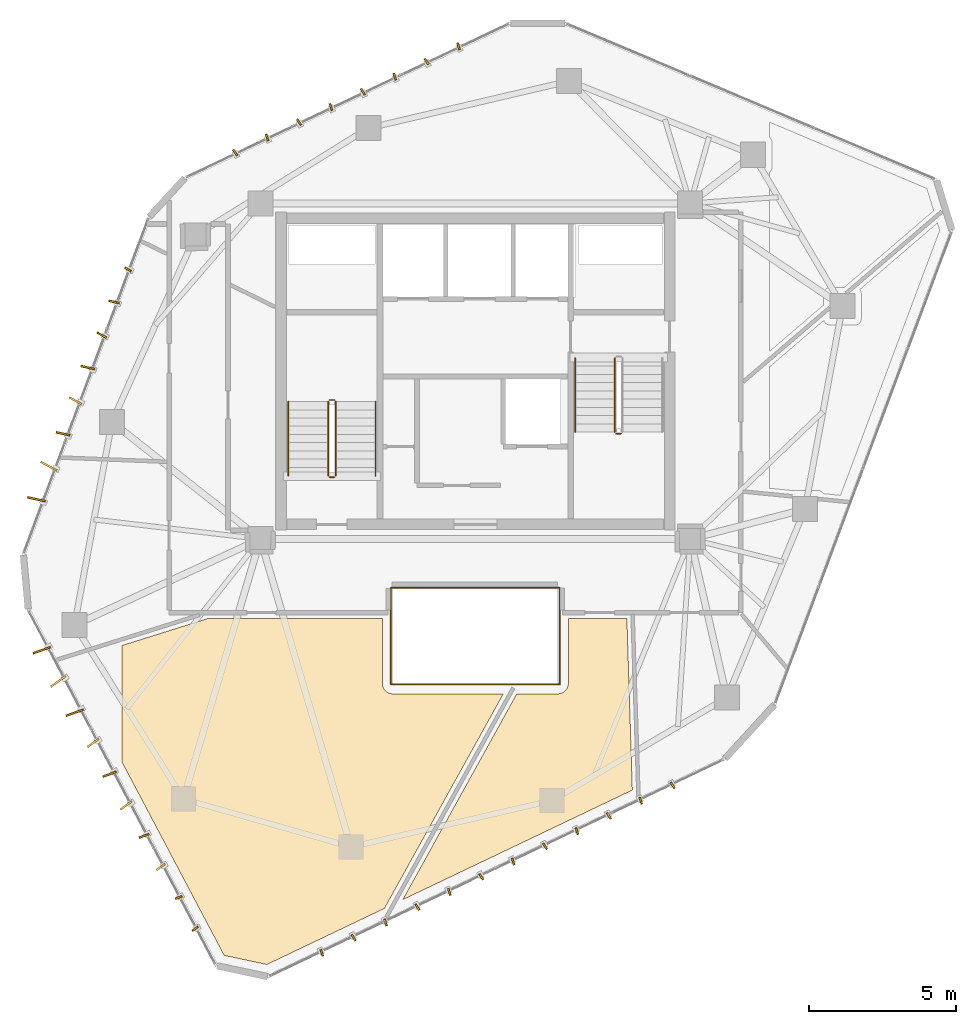
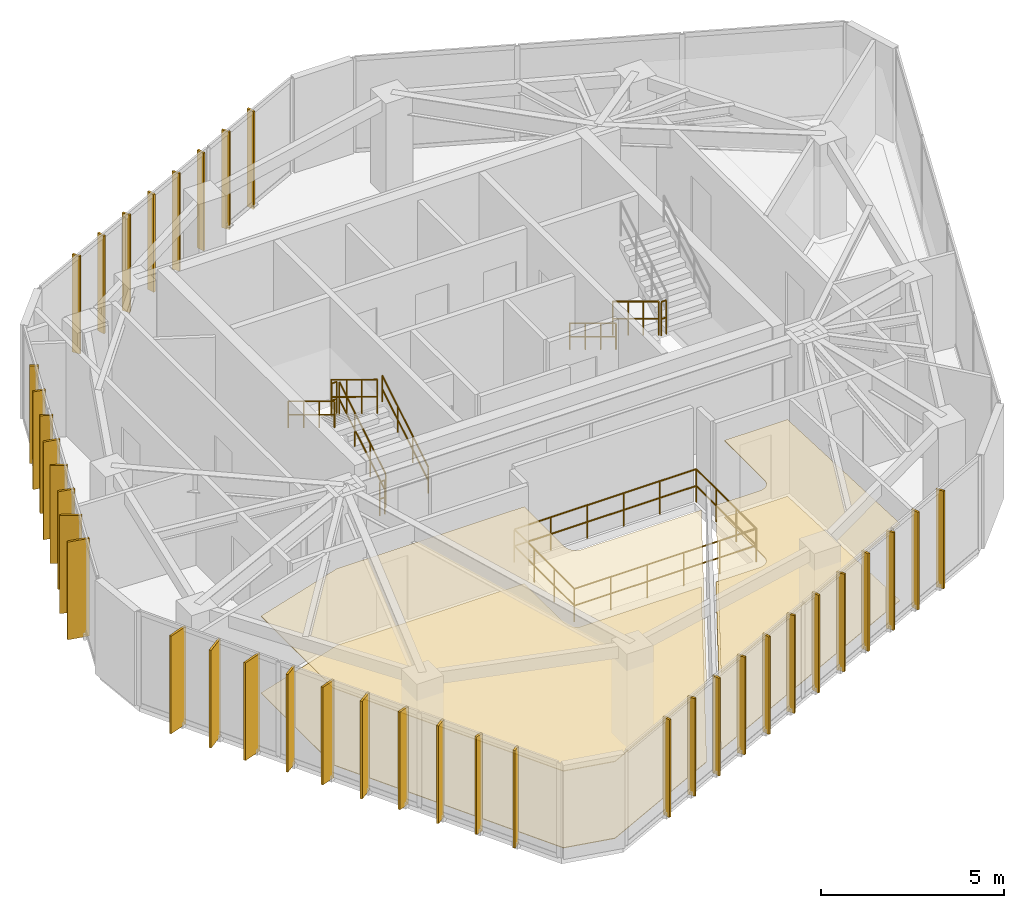
# One storey, part 19 of 20: 38 shading devices, 13 railings, 4 coverings.
"""IFC4 building model written with IfcOpenShell, lengths in metres."""

from ifc_helpers import new_model, si_unit, direction, frame, origin, origin_2d, place, context, subcontext, project, spatial, polyline, rectangle, circle, outline, extrude, source, transform, mapped, material, layer, layer_set, type_object, type_shapes, element, save


model = new_model("IFC4")

# Units and contexts
model_context = context("Model", 3, precision=1e-05, world=origin(), true_north=direction((0.0, 1.0)))
body_context = subcontext(model_context, "Body", "Model", "MODEL_VIEW")
ifc_project = project(units=[si_unit("LENGTHUNIT", "METRE"), si_unit("AREAUNIT", "SQUARE_METRE"), si_unit("VOLUMEUNIT", "CUBIC_METRE"), si_unit("PLANEANGLEUNIT", "RADIAN"), si_unit("MASSUNIT", "GRAM", prefix="KILO")], contexts=[model_context])

# Site, building, storey
site_placement = place(None, origin())
site = spatial("IfcSite", under=ifc_project, at=site_placement, CompositionType="ELEMENT")
building_placement = place(site_placement, origin())
building = spatial("IfcBuilding", under=site, at=building_placement, Name="Talar Marvaseh", CompositionType="ELEMENT")
storey_placement = place(building_placement, frame((0.0, 0.0, 268.0)))
storey = spatial("IfcBuildingStorey", under=building, at=storey_placement, Name="L71", CompositionType="ELEMENT", Elevation=268.0)

# Railings
ifc_material_1 = material(Name="Stainless Steel Grade 316", Category="steel")
railing_type_1 = type_object("IfcRailingType", Name="Brushed Stainless Wall Pitch Handrail 900", PredefinedType="HANDRAIL", material=ifc_material_1)
railing_1_placement = place(storey_placement, frame((22.610107421875, 27.64990234375, 0.169921875)))
element("IfcRailing", 1, at=railing_1_placement, inside=storey, type_object=railing_type_1, Name="L71 ST-1 stair handrail 1", PredefinedType="HANDRAIL", context=body_context, shape_type="SweptSolid", body=[
    extrude(circle(Radius=0.02392578125, at=origin_2d()), frame((0.0, 0.0, 0.8759765625), z_axis=(0.0, 0.85478489116, 0.518982456201), x_axis=(-1.0, 0.0, 0.0)), (0.0, 0.0, 1.0), 2.9482421875),
    extrude(circle(Radius=0.02392578125, at=origin_2d()), frame((0.0, 0.0, 0.42578125), z_axis=(0.0, 0.85478489116, 0.518982456201), x_axis=(-1.0, 0.0, 0.0)), (0.0, 0.0, 1.0), 2.9482421875),
    extrude(circle(Radius=0.02099609375, at=origin_2d()), origin(), (0.0, 0.0, 1.0), 0.851806640625),
    extrude(circle(Radius=0.02099609375, at=origin_2d()), frame((0.0, 0.840087890625, 0.510009765625)), (0.0, 0.0, 1.0), 0.851806640625),
    extrude(circle(Radius=0.02099609375, at=origin_2d()), frame((0.0, 1.679931640625, 1.02001953125)), (0.0, 0.0, 1.0), 0.851806640625),
    extrude(circle(Radius=0.02099609375, at=origin_2d()), frame((0.0, 2.52001953125, 1.530029296875)), (0.0, 0.0, 1.0), 0.851806640625),
])
railing_2_placement = place(storey_placement, frame((19.64990234375, 30.169921875, 1.8701171875)))
element("IfcRailing", 2, at=railing_2_placement, inside=storey, type_object=railing_type_1, Name="L71 ST-1 stair handrail 2", PredefinedType="HANDRAIL", context=body_context, shape_type="SweptSolid", body=[
    extrude(circle(Radius=0.02392578125, at=origin_2d()), frame((0.0, 0.0, 0.8759765625), z_axis=(0.0, -0.854821627497, 0.518921945155), x_axis=(1.0, 0.0, 0.0)), (0.0, 0.0, 1.0), 2.947998046875),
    extrude(circle(Radius=0.02392578125, at=origin_2d()), frame((0.0, 0.0, 0.42578125), z_axis=(0.0, -0.854821627497, 0.518921945155), x_axis=(1.0, 0.0, 0.0)), (0.0, 0.0, 1.0), 2.947998046875),
    extrude(circle(Radius=0.02099609375, at=origin_2d()), origin(), (0.0, 0.0, 1.0), 0.851806640625),
    extrude(circle(Radius=0.02099609375, at=origin_2d()), frame((0.0, -0.840087890625, 0.510009765625)), (0.0, 0.0, 1.0), 0.851806640625),
    extrude(circle(Radius=0.02099609375, at=origin_2d()), frame((0.0, -1.679931640625, 1.019775390625)), (0.0, 0.0, 1.0), 0.851806640625),
    extrude(circle(Radius=0.02099609375, at=origin_2d()), frame((0.0, -2.52001953125, 1.52978515625)), (0.0, 0.0, 1.0), 0.851806640625),
])
railing_3_placement = place(storey_placement, frame((29.389892578125, 31.64990234375, 0.169921875)))
element("IfcRailing", 3, at=railing_3_placement, inside=storey, type_object=railing_type_1, Name="L71 ST-2 stair handrail 1", PredefinedType="HANDRAIL", context=body_context, shape_type="SweptSolid", body=[
    extrude(circle(Radius=0.02392578125, at=origin_2d()), frame((0.0, 0.0, 0.8759765625), z_axis=(0.0, -0.85478489116, 0.518982456201), x_axis=(1.0, 0.0, 0.0)), (0.0, 0.0, 1.0), 2.9482421875),
    extrude(circle(Radius=0.02392578125, at=origin_2d()), frame((0.0, 0.0, 0.42578125), z_axis=(0.0, -0.85478489116, 0.518982456201), x_axis=(1.0, 0.0, 0.0)), (0.0, 0.0, 1.0), 2.9482421875),
    extrude(circle(Radius=0.02099609375, at=origin_2d()), origin(), (0.0, 0.0, 1.0), 0.851806640625),
    extrude(circle(Radius=0.02099609375, at=origin_2d()), frame((0.0, -0.840087890625, 0.510009765625)), (0.0, 0.0, 1.0), 0.851806640625),
    extrude(circle(Radius=0.02099609375, at=origin_2d()), frame((0.0, -1.679931640625, 1.02001953125)), (0.0, 0.0, 1.0), 0.851806640625),
    extrude(circle(Radius=0.02099609375, at=origin_2d()), frame((0.0, -2.52001953125, 1.530029296875)), (0.0, 0.0, 1.0), 0.851806640625),
])
ifc_material_2 = material(Name="Tempered Clear Glass", Category="glass")
railing_type_2 = type_object("IfcRailingType", Name="Interior Atrium Edge Balustrade 1120", PredefinedType="BALUSTRADE", material=ifc_material_2)
railing_4_placement = place(storey_placement, frame((23.130615234375, 20.560302734375, 0.0)))
element("IfcRailing", 4, at=railing_4_placement, inside=storey, type_object=railing_type_2, Name="L71 Internal Daylight Atrium Balustrade 1", PredefinedType="BALUSTRADE", context=body_context, shape_type="SweptSolid", body=[
    extrude(circle(Radius=0.02392578125, at=origin_2d()), frame((0.0, 0.0, 1.09619140625), z_axis=(1.0, 0.0, 0.0), x_axis=(0.0, 1.0, 0.0)), (0.0, 0.0, 1.0), 5.73876953125),
    extrude(circle(Radius=0.02392578125, at=origin_2d()), frame((0.0, 0.0, 0.5361328125), z_axis=(1.0, 0.0, 0.0), x_axis=(0.0, 1.0, 0.0)), (0.0, 0.0, 1.0), 5.73876953125),
    extrude(circle(Radius=0.02099609375, at=origin_2d()), origin(), (0.0, 0.0, 1.0), 1.072021484375),
    extrude(circle(Radius=0.02099609375, at=origin_2d()), frame((1.147705078125, 0.0, 0.0)), (0.0, 0.0, 1.0), 1.072021484375),
    extrude(circle(Radius=0.02099609375, at=origin_2d()), frame((2.29541015625, 0.0, 0.0)), (0.0, 0.0, 1.0), 1.072021484375),
    extrude(circle(Radius=0.02099609375, at=origin_2d()), frame((3.443359375, 0.0, 0.0)), (0.0, 0.0, 1.0), 1.072021484375),
    extrude(circle(Radius=0.02099609375, at=origin_2d()), frame((4.591064453125, 0.0, 0.0)), (0.0, 0.0, 1.0), 1.072021484375),
    extrude(circle(Radius=0.02099609375, at=origin_2d()), frame((5.73876953125, 0.0, 0.0)), (0.0, 0.0, 1.0), 1.072021484375),
])
railing_5_placement = place(storey_placement, frame((28.869384765625, 20.560302734375, 0.0)))
element("IfcRailing", 5, at=railing_5_placement, inside=storey, type_object=railing_type_2, Name="L71 Internal Daylight Atrium Balustrade 2", PredefinedType="BALUSTRADE", context=body_context, shape_type="SweptSolid", body=[
    extrude(circle(Radius=0.02392578125, at=origin_2d()), frame((0.0, 0.0, 1.09619140625), z_axis=(0.0, 1.0, 0.0), x_axis=(-1.0, 0.0, 0.0)), (0.0, 0.0, 1.0), 3.279296875),
    extrude(circle(Radius=0.02392578125, at=origin_2d()), frame((0.0, 0.0, 0.5361328125), z_axis=(0.0, 1.0, 0.0), x_axis=(-1.0, 0.0, 0.0)), (0.0, 0.0, 1.0), 3.279296875),
    extrude(circle(Radius=0.02099609375, at=origin_2d()), origin(), (0.0, 0.0, 1.0), 1.072021484375),
    extrude(circle(Radius=0.02099609375, at=origin_2d()), frame((0.0, 1.093017578125, 0.0)), (0.0, 0.0, 1.0), 1.072021484375),
    extrude(circle(Radius=0.02099609375, at=origin_2d()), frame((0.0, 2.186279296875, 0.0)), (0.0, 0.0, 1.0), 1.072021484375),
    extrude(circle(Radius=0.02099609375, at=origin_2d()), frame((0.0, 3.279296875, 0.0)), (0.0, 0.0, 1.0), 1.072021484375),
])
railing_6_placement = place(storey_placement, frame((28.869384765625, 23.839599609375, 0.0)))
element("IfcRailing", 6, at=railing_6_placement, inside=storey, type_object=railing_type_2, Name="L71 Internal Daylight Atrium Balustrade 3", PredefinedType="BALUSTRADE", context=body_context, shape_type="SweptSolid", body=[
    extrude(circle(Radius=0.02392578125, at=origin_2d()), frame((0.0, 0.0, 1.09619140625), z_axis=(-1.0, 0.0, 0.0), x_axis=(0.0, -1.0, 0.0)), (0.0, 0.0, 1.0), 5.73876953125),
    extrude(circle(Radius=0.02392578125, at=origin_2d()), frame((0.0, 0.0, 0.5361328125), z_axis=(-1.0, 0.0, 0.0), x_axis=(0.0, -1.0, 0.0)), (0.0, 0.0, 1.0), 5.73876953125),
    extrude(circle(Radius=0.02099609375, at=origin_2d()), origin(), (0.0, 0.0, 1.0), 1.072021484375),
    extrude(circle(Radius=0.02099609375, at=origin_2d()), frame((-1.147705078125, 0.0, 0.0)), (0.0, 0.0, 1.0), 1.072021484375),
    extrude(circle(Radius=0.02099609375, at=origin_2d()), frame((-2.29541015625, 0.0, 0.0)), (0.0, 0.0, 1.0), 1.072021484375),
    extrude(circle(Radius=0.02099609375, at=origin_2d()), frame((-3.443359375, 0.0, 0.0)), (0.0, 0.0, 1.0), 1.072021484375),
    extrude(circle(Radius=0.02099609375, at=origin_2d()), frame((-4.591064453125, 0.0, 0.0)), (0.0, 0.0, 1.0), 1.072021484375),
    extrude(circle(Radius=0.02099609375, at=origin_2d()), frame((-5.73876953125, 0.0, 0.0)), (0.0, 0.0, 1.0), 1.072021484375),
])
railing_7_placement = place(storey_placement, frame((23.130615234375, 23.839599609375, 0.0)))
element("IfcRailing", 7, at=railing_7_placement, inside=storey, type_object=railing_type_2, Name="L71 Internal Daylight Atrium Balustrade 4", PredefinedType="BALUSTRADE", context=body_context, shape_type="SweptSolid", body=[
    extrude(circle(Radius=0.02392578125, at=origin_2d()), frame((0.0, 0.0, 1.09619140625), z_axis=(0.0, -1.0, 0.0), x_axis=(1.0, 0.0, 0.0)), (0.0, 0.0, 1.0), 3.279296875),
    extrude(circle(Radius=0.02392578125, at=origin_2d()), frame((0.0, 0.0, 0.5361328125), z_axis=(0.0, -1.0, 0.0), x_axis=(1.0, 0.0, 0.0)), (0.0, 0.0, 1.0), 3.279296875),
    extrude(circle(Radius=0.02099609375, at=origin_2d()), origin(), (0.0, 0.0, 1.0), 1.072021484375),
    extrude(circle(Radius=0.02099609375, at=origin_2d()), frame((0.0, -1.093017578125, 0.0)), (0.0, 0.0, 1.0), 1.072021484375),
    extrude(circle(Radius=0.02099609375, at=origin_2d()), frame((0.0, -2.186279296875, 0.0)), (0.0, 0.0, 1.0), 1.072021484375),
    extrude(circle(Radius=0.02099609375, at=origin_2d()), frame((0.0, -3.279296875, 0.0)), (0.0, 0.0, 1.0), 1.072021484375),
])
railing_type_3 = type_object("IfcRailingType", Name="Painted Steel Core Stair Well Guardrail 1150", PredefinedType="GUARDRAIL", material=ifc_material_1)
railing_8_placement = place(storey_placement, frame((21.260009765625, 27.64990234375, 0.169921875)))
element("IfcRailing", 8, at=railing_8_placement, inside=storey, type_object=railing_type_3, Name="L71 ST-1 stair guard 1", PredefinedType="GUARDRAIL", context=body_context, shape_type="SweptSolid", body=[
    extrude(circle(Radius=0.02392578125, at=origin_2d()), frame((0.0, 0.0, 1.1259765625), z_axis=(0.0, 0.85478489116, 0.518982456201), x_axis=(-1.0, 0.0, 0.0)), (0.0, 0.0, 1.0), 2.9482421875),
    extrude(circle(Radius=0.02392578125, at=origin_2d()), frame((0.0, 0.0, 0.55078125), z_axis=(0.0, 0.85478489116, 0.518982456201), x_axis=(-1.0, 0.0, 0.0)), (0.0, 0.0, 1.0), 2.9482421875),
    extrude(circle(Radius=0.02099609375, at=origin_2d()), origin(), (0.0, 0.0, 1.0), 1.101806640625),
    extrude(circle(Radius=0.02099609375, at=origin_2d()), frame((0.0, 0.840087890625, 0.510009765625)), (0.0, 0.0, 1.0), 1.101806640625),
    extrude(circle(Radius=0.02099609375, at=origin_2d()), frame((0.0, 1.679931640625, 1.02001953125)), (0.0, 0.0, 1.0), 1.101806640625),
    extrude(circle(Radius=0.02099609375, at=origin_2d()), frame((0.0, 2.52001953125, 1.530029296875)), (0.0, 0.0, 1.0), 1.101806640625),
])
railing_9_placement = place(storey_placement, frame((21.2099609375, 30.219970703125, 1.699951171875)))
element("IfcRailing", 9, at=railing_9_placement, inside=storey, type_object=railing_type_3, Name="L71 ST-1 stair guard 2", PredefinedType="GUARDRAIL", context=body_context, shape_type="SweptSolid", body=[
    extrude(circle(Radius=0.02392578125, at=origin_2d()), frame((0.0, 0.0, 1.1259765625), z_axis=(-1.0, 0.0, 0.0), x_axis=(0.0, -1.0, 0.0)), (0.0, 0.0, 1.0), 0.159912109375),
    extrude(circle(Radius=0.02392578125, at=origin_2d()), frame((0.0, 0.0, 0.55078125), z_axis=(-1.0, 0.0, 0.0), x_axis=(0.0, -1.0, 0.0)), (0.0, 0.0, 1.0), 0.159912109375),
    extrude(circle(Radius=0.02099609375, at=origin_2d()), origin(), (0.0, 0.0, 1.0), 1.101806640625),
    extrude(circle(Radius=0.02099609375, at=origin_2d()), frame((-0.159912109375, 0.0, 0.0)), (0.0, 0.0, 1.0), 1.101806640625),
])
railing_10_placement = place(storey_placement, frame((21.0, 30.169921875, 1.8701171875)))
element("IfcRailing", 10, at=railing_10_placement, inside=storey, type_object=railing_type_3, Name="L71 ST-1 stair guard 3", PredefinedType="GUARDRAIL", context=body_context, shape_type="SweptSolid", body=[
    extrude(circle(Radius=0.02392578125, at=origin_2d()), frame((0.0, 0.0, 1.1259765625), z_axis=(0.0, -0.854821627497, 0.518921945155), x_axis=(1.0, 0.0, 0.0)), (0.0, 0.0, 1.0), 2.947998046875),
    extrude(circle(Radius=0.02392578125, at=origin_2d()), frame((0.0, 0.0, 0.55078125), z_axis=(0.0, -0.854821627497, 0.518921945155), x_axis=(1.0, 0.0, 0.0)), (0.0, 0.0, 1.0), 2.947998046875),
    extrude(circle(Radius=0.02099609375, at=origin_2d()), origin(), (0.0, 0.0, 1.0), 1.101806640625),
    extrude(circle(Radius=0.02099609375, at=origin_2d()), frame((0.0, -0.840087890625, 0.510009765625)), (0.0, 0.0, 1.0), 1.101806640625),
    extrude(circle(Radius=0.02099609375, at=origin_2d()), frame((0.0, -1.679931640625, 1.019775390625)), (0.0, 0.0, 1.0), 1.101806640625),
    extrude(circle(Radius=0.02099609375, at=origin_2d()), frame((0.0, -2.52001953125, 1.52978515625)), (0.0, 0.0, 1.0), 1.101806640625),
])
railing_11_placement = place(storey_placement, frame((21.2099609375, 27.60009765625, 0.0)))
element("IfcRailing", 11, at=railing_11_placement, inside=storey, type_object=railing_type_3, Name="L71 ST-1 stair guard 4", PredefinedType="GUARDRAIL", context=body_context, shape_type="SweptSolid", body=[
    extrude(circle(Radius=0.02392578125, at=origin_2d()), frame((0.0, 0.0, 1.1259765625), z_axis=(-1.0, 0.0, 0.0), x_axis=(0.0, -1.0, 0.0)), (0.0, 0.0, 1.0), 0.159912109375),
    extrude(circle(Radius=0.02392578125, at=origin_2d()), frame((0.0, 0.0, 0.55078125), z_axis=(-1.0, 0.0, 0.0), x_axis=(0.0, -1.0, 0.0)), (0.0, 0.0, 1.0), 0.159912109375),
    extrude(circle(Radius=0.02099609375, at=origin_2d()), origin(), (0.0, 0.0, 1.0), 1.101806640625),
    extrude(circle(Radius=0.02099609375, at=origin_2d()), frame((-0.159912109375, 0.0, 0.0)), (0.0, 0.0, 1.0), 1.101806640625),
])
railing_12_placement = place(storey_placement, frame((30.739990234375, 31.64990234375, 0.169921875)))
element("IfcRailing", 12, at=railing_12_placement, inside=storey, type_object=railing_type_3, Name="L71 ST-2 stair guard 1", PredefinedType="GUARDRAIL", context=body_context, shape_type="SweptSolid", body=[
    extrude(circle(Radius=0.02392578125, at=origin_2d()), frame((0.0, 0.0, 1.1259765625), z_axis=(0.0, -0.85478489116, 0.518982456201), x_axis=(1.0, 0.0, 0.0)), (0.0, 0.0, 1.0), 2.9482421875),
    extrude(circle(Radius=0.02392578125, at=origin_2d()), frame((0.0, 0.0, 0.55078125), z_axis=(0.0, -0.85478489116, 0.518982456201), x_axis=(1.0, 0.0, 0.0)), (0.0, 0.0, 1.0), 2.9482421875),
    extrude(circle(Radius=0.02099609375, at=origin_2d()), origin(), (0.0, 0.0, 1.0), 1.101806640625),
    extrude(circle(Radius=0.02099609375, at=origin_2d()), frame((0.0, -0.840087890625, 0.510009765625)), (0.0, 0.0, 1.0), 1.101806640625),
    extrude(circle(Radius=0.02099609375, at=origin_2d()), frame((0.0, -1.679931640625, 1.02001953125)), (0.0, 0.0, 1.0), 1.101806640625),
    extrude(circle(Radius=0.02099609375, at=origin_2d()), frame((0.0, -2.52001953125, 1.530029296875)), (0.0, 0.0, 1.0), 1.101806640625),
])
railing_13_placement = place(storey_placement, frame((30.7900390625, 29.080078125, 1.699951171875)))
element("IfcRailing", 13, at=railing_13_placement, inside=storey, type_object=railing_type_3, Name="L71 ST-2 stair guard 2", PredefinedType="GUARDRAIL", context=body_context, shape_type="SweptSolid", body=[
    extrude(circle(Radius=0.02392578125, at=origin_2d()), frame((0.0, 0.0, 1.1259765625), z_axis=(1.0, 0.0, 0.0), x_axis=(0.0, 1.0, 0.0)), (0.0, 0.0, 1.0), 0.159912109375),
    extrude(circle(Radius=0.02392578125, at=origin_2d()), frame((0.0, 0.0, 0.55078125), z_axis=(1.0, 0.0, 0.0), x_axis=(0.0, 1.0, 0.0)), (0.0, 0.0, 1.0), 0.159912109375),
    extrude(circle(Radius=0.02099609375, at=origin_2d()), origin(), (0.0, 0.0, 1.0), 1.101806640625),
    extrude(circle(Radius=0.02099609375, at=origin_2d()), frame((0.159912109375, 0.0, 0.0)), (0.0, 0.0, 1.0), 1.101806640625),
])

# Coverings
ifc_material_3 = material(Name="Mineral Fibre Acoustic Ceiling")
ifc_layer_1 = layer(ifc_material_3, 0.02490234375)
ifc_layer_set_1 = layer_set([ifc_layer_1], Name="Mineral Fibre Acoustic Ceiling")
covering_type_1 = type_object("IfcCoveringType", Name="Perforated Mineral Fibre Acoustic Suspended Ceiling", PredefinedType="CEILING", material=ifc_layer_set_1)
covering_1_placement = place(storey_placement, frame((0.0, 0.0, 2.56005859375)))
element("IfcCovering", 14, at=covering_1_placement, inside=storey, type_object=covering_type_1, Name="L71 Curatorial Staff Control Room Acoustic Ceiling", PredefinedType="CEILING", context=body_context, shape_type="SweptSolid", body=[
    extrude(outline(polyline([(22.840087890625, 22.800048828125), (22.8408203125, 20.584228515625), (22.84228515625, 20.559814453125), (22.8466796875, 20.53564453125), (22.858154296875, 20.490234375), (22.863037109375, 20.4736328125), (22.869384765625, 20.457763671875), (22.876953125, 20.4423828125), (22.885986328125, 20.427490234375), (22.920654296875, 20.375732421875), (22.934326171875, 20.357421875), (22.9501953125, 20.341064453125), (22.9677734375, 20.326416015625), (23.00537109375, 20.29833984375), (23.021728515625, 20.287353515625), (23.0390625, 20.278076171875), (23.057373046875, 20.2705078125), (23.1015625, 20.2548828125), (23.123291015625, 20.248291015625), (23.14599609375, 20.244384765625), (23.168701171875, 20.2431640625), (26.950439453125, 20.240234375), (22.91455078125, 12.95361328125), (18.919189453125, 11.047119140625), (17.468505859375, 11.357421875), (14.0, 17.923095703125), (14.0, 21.882080078125), (16.9189453125, 22.800048828125), (22.840087890625, 22.800048828125)])), origin(), (0.0, 0.0, 1.0), 0.02490234375),
])
covering_2_placement = place(storey_placement, frame((0.0, 0.0, 2.56005859375)))
element("IfcCovering", 15, at=covering_2_placement, inside=storey, type_object=covering_type_1, Name="L71 Artisan Craft Showroom Acoustic Ceiling", PredefinedType="CEILING", context=body_context, shape_type="SweptSolid", body=[
    extrude(outline(polyline([(28.838623046875, 20.2421875), (28.861083984375, 20.24609375), (28.883056640625, 20.25244140625), (28.956298828125, 20.27880859375), (28.974365234375, 20.2861328125), (28.99169921875, 20.29541015625), (29.008056640625, 20.306396484375), (29.023193359375, 20.31884765625), (29.037109375, 20.332763671875), (29.08935546875, 20.390380859375), (29.101806640625, 20.405517578125), (29.112548828125, 20.421875), (29.121826171875, 20.439208984375), (29.12939453125, 20.457275390625), (29.135009765625, 20.47607421875), (29.154052734375, 20.551513671875), (29.1572265625, 20.5673828125), (29.1591796875, 20.58349609375), (29.159912109375, 20.60009765625), (29.159912109375, 22.800048828125), (31.14892578125, 22.800048828125), (31.333984375, 16.970947265625), (23.5361328125, 13.25), (27.40771484375, 20.239990234375), (28.81591796875, 20.24072265625), (28.838623046875, 20.2421875)])), origin(), (0.0, 0.0, 1.0), 0.02490234375),
])
ifc_material_4 = material(Name="Porcelain Stoneware Tile", Category="masonry")
ifc_layer_2 = layer(ifc_material_4, 0.02001953125)
ifc_layer_set_2 = layer_set([ifc_layer_2], Name="Porcelain Stoneware Tile")
covering_type_2 = type_object("IfcCoveringType", Name="Polished Porcelain Stoneware Gallery Flooring", PredefinedType="FLOORING", material=ifc_layer_set_2)
covering_3_placement = place(storey_placement, origin())
element("IfcCovering", 16, at=covering_3_placement, inside=storey, type_object=covering_type_2, Name="L71 Curatorial Staff Control Room Flooring", PredefinedType="FLOORING", context=body_context, shape_type="SweptSolid", body=[
    extrude(outline(polyline([(22.840087890625, 22.800048828125), (22.8408203125, 20.584228515625), (22.84228515625, 20.559814453125), (22.8466796875, 20.53564453125), (22.858154296875, 20.490234375), (22.863037109375, 20.4736328125), (22.869384765625, 20.457763671875), (22.876953125, 20.4423828125), (22.885986328125, 20.427490234375), (22.920654296875, 20.375732421875), (22.934326171875, 20.357421875), (22.9501953125, 20.341064453125), (22.9677734375, 20.326416015625), (23.00537109375, 20.29833984375), (23.021728515625, 20.287353515625), (23.0390625, 20.278076171875), (23.057373046875, 20.2705078125), (23.1015625, 20.2548828125), (23.123291015625, 20.248291015625), (23.14599609375, 20.244384765625), (23.168701171875, 20.2431640625), (26.950439453125, 20.240234375), (22.91455078125, 12.95361328125), (18.919189453125, 11.047119140625), (17.468505859375, 11.357421875), (14.0, 17.923095703125), (14.0, 21.882080078125), (16.9189453125, 22.800048828125), (22.840087890625, 22.800048828125)])), origin(), (0.0, 0.0, 1.0), 0.02001953125),
])
covering_4_placement = place(storey_placement, origin())
element("IfcCovering", 17, at=covering_4_placement, inside=storey, type_object=covering_type_2, Name="L71 Artisan Craft Showroom Flooring", PredefinedType="FLOORING", context=body_context, shape_type="SweptSolid", body=[
    extrude(outline(polyline([(28.838623046875, 20.2421875), (28.861083984375, 20.24609375), (28.883056640625, 20.25244140625), (28.956298828125, 20.27880859375), (28.974365234375, 20.2861328125), (28.99169921875, 20.29541015625), (29.008056640625, 20.306396484375), (29.023193359375, 20.31884765625), (29.037109375, 20.332763671875), (29.08935546875, 20.390380859375), (29.101806640625, 20.405517578125), (29.112548828125, 20.421875), (29.121826171875, 20.439208984375), (29.12939453125, 20.457275390625), (29.135009765625, 20.47607421875), (29.154052734375, 20.551513671875), (29.1572265625, 20.5673828125), (29.1591796875, 20.58349609375), (29.159912109375, 20.60009765625), (29.159912109375, 22.800048828125), (31.14892578125, 22.800048828125), (31.333984375, 16.970947265625), (23.5361328125, 13.25), (27.40771484375, 20.239990234375), (28.81591796875, 20.24072265625), (28.838623046875, 20.2421875)])), origin(), (0.0, 0.0, 1.0), 0.02001953125),
])

# Shading devices
ifc_material_5 = material(Name="Anodised Champagne Bronze Aluminium", Category="aluminium")
ifc_layer_3 = layer(ifc_material_5, 0.06494140625)
ifc_layer_set_3 = layer_set([ifc_layer_3], Name="Anodised Champagne Bronze Aluminium")
shading_device_type_1 = type_object("IfcShadingDeviceType", Name="Sawtooth Champagne Bronze Vertical Fin 240", PredefinedType="USERDEFINED", material=ifc_layer_set_3)
shared_shape_1 = source(origin(), body_context, "Body", "SweptSolid", [
    extrude(rectangle(XDim=0.239990234375, YDim=0.06494140625, at=origin_2d()), origin(), (0.0, 0.0, 1.0), 3.260009765625),
])
type_shapes(shading_device_type_1, [shared_shape_1])
for number, where, z_axis, x_axis, name in (
    (18, (16.487060546875, 12.26220703125, -0.1201171875), (0.0, 0.0, 1.0), (-0.810553038353, -0.585665238866, 0.0), "L71 Sawtooth Vertical Solar Fin"),
    (19, (15.926513671875, 13.3232421875, -0.1201171875), (0.0, 0.0, 1.0), (-0.94058480613, -0.339558864524, 0.0), "L71 Sawtooth Vertical Solar Fin"),
    (20, (14.205810546875, 34.654296875, -0.1201171875), (0.0, 0.0, 1.0), (-0.879399416044, 0.476084726767, 0.0), "L71 Sawtooth Vertical Solar Fin"),
    (21, (17.844970703125, 38.625732421875, -0.1201171875), (0.0, 0.0, 1.0), (-0.550917789925, 0.834559517796, 0.0), "L71 Sawtooth Vertical Solar Fin"),
    (22, (18.9287109375, 39.14111328125, -0.1201171875), (0.0, 0.0, 1.0), (-0.299540390309, 0.954083620326, 0.0), "L71 Sawtooth Vertical Solar Fin"),
    (23, (20.01220703125, 39.656494140625, -0.1201171875), (0.0, 0.0, 1.0), (-0.550917789925, 0.834559517796, 0.0), "L71 Sawtooth Vertical Solar Fin"),
    (24, (21.095947265625, 40.171875, -0.1201171875), (0.0, 0.0, 1.0), (-0.299540390309, 0.954083620326, 0.0), "L71 Sawtooth Vertical Solar Fin"),
    (25, (22.1796875, 40.68701171875, -0.1201171875), (0.0, 0.0, 1.0), (-0.550917789925, 0.834559517796, 0.0), "L71 Sawtooth Vertical Solar Fin"),
    (26, (23.263427734375, 41.202392578125, -0.1201171875), (0.0, 0.0, 1.0), (-0.299540390309, 0.954083620326, 0.0), "L71 Sawtooth Vertical Solar Fin"),
    (27, (24.34716796875, 41.7177734375, -0.1201171875), (0.0, 0.0, 1.0), (-0.550917789925, 0.834559517796, 0.0), "L71 Sawtooth Vertical Solar Fin"),
    (28, (25.430908203125, 42.233154296875, -0.1201171875), (0.0, 0.0, 1.0), (-0.299540390309, 0.954083620326, 0.0), "L71 Sawtooth Vertical Solar Fin"),
    (29, (32.69970703125, 17.129638671875, -0.1201171875), (0.0, 0.0, 1.0), (0.552082517437, -0.83378947819, 0.0), "L71 Sawtooth Vertical Solar Fin"),
    (30, (31.61669921875, 16.61279296875, -0.1201171875), (0.0, 0.0, 1.0), (0.300872249933, -0.95366445316, 0.0), "L71 Sawtooth Vertical Solar Fin"),
    (31, (30.53369140625, 16.09619140625, -0.1201171875), (0.0, 0.0, 1.0), (0.552082517437, -0.83378947819, 0.0), "L71 Sawtooth Vertical Solar Fin"),
    (32, (29.45068359375, 15.579345703125, -0.1201171875), (0.0, 0.0, 1.0), (0.300872249933, -0.95366445316, 0.0), "L71 Sawtooth Vertical Solar Fin"),
    (33, (28.36767578125, 15.0625, -0.1201171875), (0.0, 0.0, 1.0), (0.552082517437, -0.83378947819, 0.0), "L71 Sawtooth Vertical Solar Fin"),
    (34, (27.28466796875, 14.545654296875, -0.1201171875), (0.0, 0.0, 1.0), (0.300872249933, -0.95366445316, 0.0), "L71 Sawtooth Vertical Solar Fin"),
    (35, (26.20166015625, 14.02880859375, -0.1201171875), (0.0, 0.0, 1.0), (0.552082517437, -0.83378947819, 0.0), "L71 Sawtooth Vertical Solar Fin"),
    (36, (25.11865234375, 13.51220703125, -0.1201171875), (0.0, 0.0, 1.0), (0.300872249933, -0.95366445316, 0.0), "L71 Sawtooth Vertical Solar Fin"),
    (37, (24.03564453125, 12.995361328125, -0.1201171875), (0.0, 0.0, 1.0), (0.552082517437, -0.83378947819, 0.0), "L71 Sawtooth Vertical Solar Fin"),
    (38, (22.95263671875, 12.478515625, -0.1201171875), (0.0, 0.0, 1.0), (0.300872249933, -0.95366445316, 0.0), "L71 Sawtooth Vertical Solar Fin"),
    (39, (21.86962890625, 11.9619140625, -0.1201171875), (0.0, 0.0, 1.0), (0.552082517437, -0.83378947819, 0.0), "L71 Sawtooth Vertical Solar Fin"),
    (40, (20.78662109375, 11.445068359375, -0.1201171875), (0.0, 0.0, 1.0), (0.300872249933, -0.95366445316, 0.0), "L71 Sawtooth Vertical Solar Fin"),
):
    element("IfcShadingDevice", number, at=place(storey_placement, frame(where, z_axis=z_axis, x_axis=x_axis)), inside=storey, type_object=shading_device_type_1, Name=name, ObjectType="FIN", PredefinedType="USERDEFINED", context=body_context, shape_type="MappedRepresentation", body=[
        mapped(shared_shape_1, transform((0.0, 0.0, 0.0), x_axis=(1.0, 0.0, 0.0), y_axis=(0.0, 1.0, 0.0), z_axis=(0.0, 0.0, 1.0), scale=1.0)),
    ])
ifc_layer_4 = layer(ifc_material_5, 0.06494140625)
ifc_layer_set_4 = layer_set([ifc_layer_4], Name="Anodised Champagne Bronze Aluminium")
shading_device_type_2 = type_object("IfcShadingDeviceType", Name="Sawtooth Champagne Bronze Vertical Fin 360", PredefinedType="USERDEFINED", material=ifc_layer_set_4)
shared_shape_2 = source(origin(), body_context, "Body", "SweptSolid", [
    extrude(rectangle(XDim=0.360107421875, YDim=0.06494140625, at=origin_2d()), origin(), (0.0, 0.0, 1.0), 3.260009765625),
])
type_shapes(shading_device_type_2, [shared_shape_2])
for number, where, z_axis, x_axis, name in (
    (41, (15.31298828125, 14.356201171875, -0.1201171875), (0.0, 0.0, 1.0), (-0.810553038353, -0.585665238866, 0.0), "L71 Sawtooth Vertical Solar Fin"),
    (42, (14.75244140625, 15.41748046875, -0.1201171875), (0.0, 0.0, 1.0), (-0.94058480613, -0.339558864524, 0.0), "L71 Sawtooth Vertical Solar Fin"),
    (43, (13.3115234375, 32.426513671875, -0.1201171875), (0.0, 0.0, 1.0), (-0.879399416044, 0.476084726767, 0.0), "L71 Sawtooth Vertical Solar Fin"),
    (44, (13.730712890625, 33.55078125, -0.1201171875), (0.0, 0.0, 1.0), (-0.976559709305, 0.215246682117, 0.0), "L71 Sawtooth Vertical Solar Fin"),
):
    element("IfcShadingDevice", number, at=place(storey_placement, frame(where, z_axis=z_axis, x_axis=x_axis)), inside=storey, type_object=shading_device_type_2, Name=name, ObjectType="FIN", PredefinedType="USERDEFINED", context=body_context, shape_type="MappedRepresentation", body=[
        mapped(shared_shape_2, transform((0.0, 0.0, 0.0), x_axis=(1.0, 0.0, 0.0), y_axis=(0.0, 1.0, 0.0), z_axis=(0.0, 0.0, 1.0), scale=1.0)),
    ])
ifc_layer_5 = layer(ifc_material_5, 0.06494140625)
ifc_layer_set_5 = layer_set([ifc_layer_5], Name="Anodised Champagne Bronze Aluminium")
shading_device_type_3 = type_object("IfcShadingDeviceType", Name="Sawtooth Champagne Bronze Vertical Fin 480", PredefinedType="USERDEFINED", material=ifc_layer_set_5)
shared_shape_3 = source(origin(), body_context, "Body", "SweptSolid", [
    extrude(rectangle(XDim=0.47998046875, YDim=0.06494140625, at=origin_2d()), origin(), (0.0, 0.0, 1.0), 3.260009765625),
])
type_shapes(shading_device_type_3, [shared_shape_3])
for number, where, z_axis, x_axis, name in (
    (45, (14.138916015625, 16.450439453125, -0.1201171875), (0.0, 0.0, 1.0), (-0.810553038353, -0.585665238866, 0.0), "L71 Sawtooth Vertical Solar Fin"),
    (46, (13.578369140625, 17.511474609375, -0.1201171875), (0.0, 0.0, 1.0), (-0.94058480613, -0.339558864524, 0.0), "L71 Sawtooth Vertical Solar Fin"),
    (47, (13.017822265625, 18.572509765625, -0.1201171875), (0.0, 0.0, 1.0), (-0.810553038353, -0.585665238866, 0.0), "L71 Sawtooth Vertical Solar Fin"),
    (48, (11.998779296875, 29.07373046875, -0.1201171875), (0.0, 0.0, 1.0), (-0.976559709305, 0.215246682117, 0.0), "L71 Sawtooth Vertical Solar Fin"),
    (49, (12.41748046875, 30.1982421875, -0.1201171875), (0.0, 0.0, 1.0), (-0.879399416044, 0.476084726767, 0.0), "L71 Sawtooth Vertical Solar Fin"),
    (50, (12.83642578125, 31.32275390625, -0.1201171875), (0.0, 0.0, 1.0), (-0.976559709305, 0.215246682117, 0.0), "L71 Sawtooth Vertical Solar Fin"),
):
    element("IfcShadingDevice", number, at=place(storey_placement, frame(where, z_axis=z_axis, x_axis=x_axis)), inside=storey, type_object=shading_device_type_3, Name=name, ObjectType="FIN", PredefinedType="USERDEFINED", context=body_context, shape_type="MappedRepresentation", body=[
        mapped(shared_shape_3, transform((0.0, 0.0, 0.0), x_axis=(1.0, 0.0, 0.0), y_axis=(0.0, 1.0, 0.0), z_axis=(0.0, 0.0, 1.0), scale=1.0)),
    ])
ifc_layer_6 = layer(ifc_material_5, 0.06494140625)
ifc_layer_set_6 = layer_set([ifc_layer_6], Name="Anodised Champagne Bronze Aluminium")
shading_device_type_4 = type_object("IfcShadingDeviceType", Name="Sawtooth Champagne Bronze Vertical Fin 620", PredefinedType="USERDEFINED", material=ifc_layer_set_6)
shared_shape_4 = source(origin(), body_context, "Body", "SweptSolid", [
    extrude(rectangle(XDim=0.6201171875, YDim=0.06494140625, at=origin_2d()), origin(), (0.0, 0.0, 1.0), 3.260009765625),
])
type_shapes(shading_device_type_4, [shared_shape_4])
for number, where, z_axis, x_axis, name in (
    (51, (12.3955078125, 19.600830078125, -0.1201171875), (0.0, 0.0, 1.0), (-0.94058480613, -0.339558864524, 0.0), "L71 Sawtooth Vertical Solar Fin"),
    (52, (11.8349609375, 20.661865234375, -0.1201171875), (0.0, 0.0, 1.0), (-0.810553038353, -0.585665238866, 0.0), "L71 Sawtooth Vertical Solar Fin"),
    (53, (11.2744140625, 21.722900390625, -0.1201171875), (0.0, 0.0, 1.0), (-0.94058480613, -0.339558864524, 0.0), "L71 Sawtooth Vertical Solar Fin"),
    (54, (11.09521484375, 26.84912109375, -0.1201171875), (0.0, 0.0, 1.0), (-0.976559709305, 0.215246682117, 0.0), "L71 Sawtooth Vertical Solar Fin"),
    (55, (11.51416015625, 27.9736328125, -0.1201171875), (0.0, 0.0, 1.0), (-0.879399416044, 0.476084726767, 0.0), "L71 Sawtooth Vertical Solar Fin"),
):
    element("IfcShadingDevice", number, at=place(storey_placement, frame(where, z_axis=z_axis, x_axis=x_axis)), inside=storey, type_object=shading_device_type_4, Name=name, ObjectType="FIN", PredefinedType="USERDEFINED", context=body_context, shape_type="MappedRepresentation", body=[
        mapped(shared_shape_4, transform((0.0, 0.0, 0.0), x_axis=(1.0, 0.0, 0.0), y_axis=(0.0, 1.0, 0.0), z_axis=(0.0, 0.0, 1.0), scale=1.0)),
    ])

save(model, "model.ifc")
